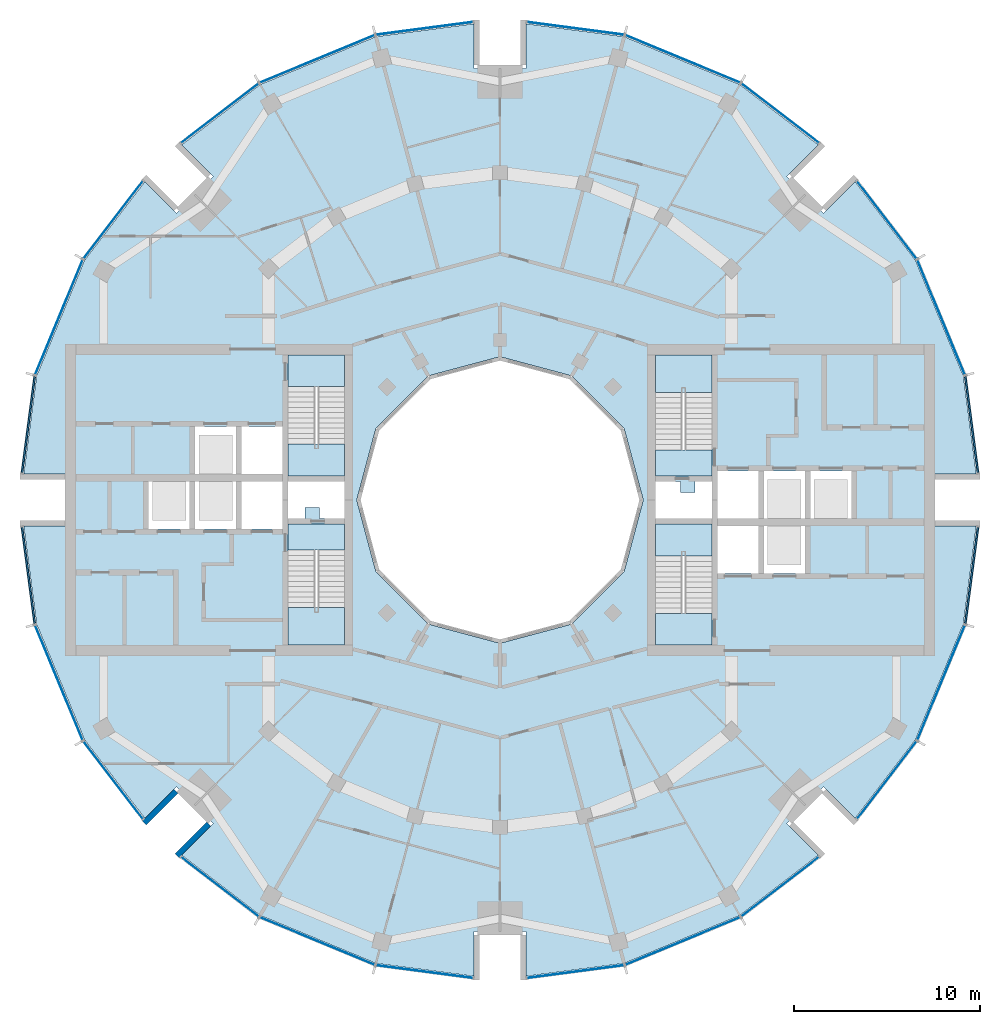
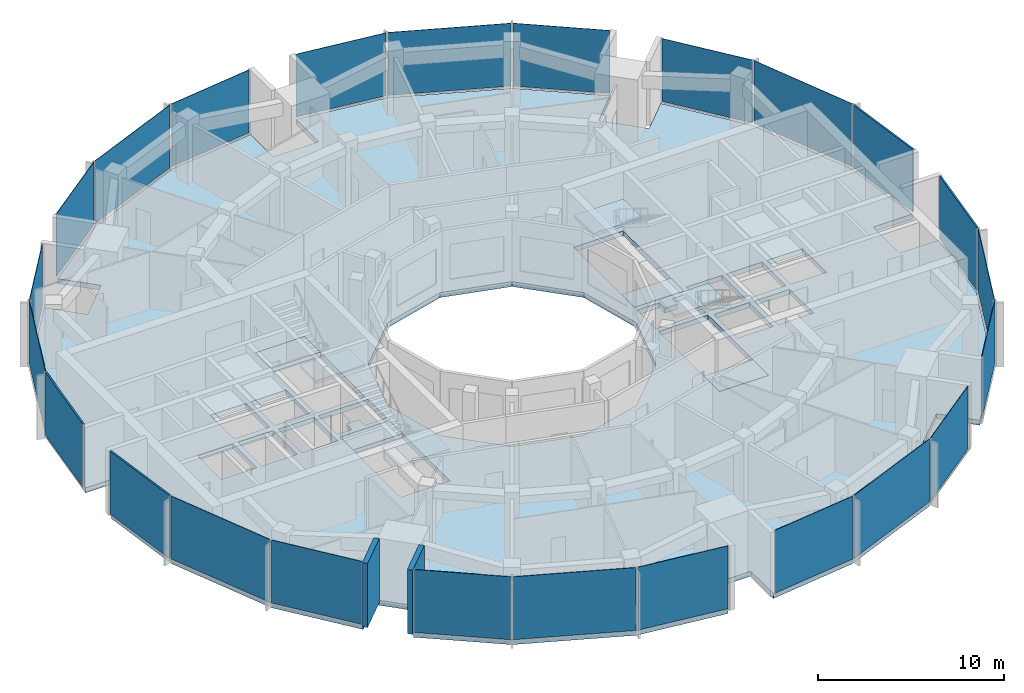
# One storey, part 7 of 15: 24 plates, 9 slabs, 2 walls, 28 elements without a shape of their own.
"""IFC4 building model written with IfcOpenShell, lengths in metres."""

from ifc_helpers import new_model, si_unit, direction, frame, frame_2d, origin, origin_2d, place, context, subcontext, project, spatial, polyline, rectangle, outline, extrude, material, layer, layer_set, type_object, element, aggregate, save


model = new_model("IFC4")

# Units and contexts
model_context = context("Model", 3, precision=1e-05, world=origin(), true_north=direction((0.0, 1.0)))
body_context = subcontext(model_context, "Body", "Model", "MODEL_VIEW")
ifc_project = project(units=[si_unit("LENGTHUNIT", "METRE"), si_unit("AREAUNIT", "SQUARE_METRE"), si_unit("VOLUMEUNIT", "CUBIC_METRE"), si_unit("PLANEANGLEUNIT", "RADIAN"), si_unit("MASSUNIT", "GRAM", prefix="KILO")], contexts=[model_context])

# Site, building, storey
site_placement = place(None, origin())
site = spatial("IfcSite", under=ifc_project, at=site_placement, CompositionType="ELEMENT")
building_placement = place(site_placement, origin())
building = spatial("IfcBuilding", under=site, at=building_placement, Name="Torre Brocal", CompositionType="ELEMENT")
storey_placement = place(building_placement, frame((0.0, 0.0, 245.699951171875)))
storey = spatial("IfcBuildingStorey", under=building, at=storey_placement, Name="L56", CompositionType="ELEMENT", Elevation=245.699951171875)

# Curtain wall, plate
ifc_material_1 = material(Name="Aluminium and glass", Category="aluminium")
ifc_layer_1 = layer(ifc_material_1, 0.199951171875)
ifc_layer_set_1 = layer_set([ifc_layer_1], Name="Aluminium and glass")
curtain_wall_type_1 = type_object("IfcCurtainWallType", Name="CW-1 CURTAIN WALL 4200 HIGH", PredefinedType="NOTDEFINED", material=ifc_layer_set_1)
curtain_wall_1_placement = place(storey_placement, origin())
curtain_wall_1 = element("IfcCurtainWall", 1, at=curtain_wall_1_placement, inside=storey, type_object=curtain_wall_type_1, Name="CW-1 RUN 2", PredefinedType="NOTDEFINED")
ifc_material_2 = material(Name="Glass, dark tinted laminated", Category="glass")
ifc_layer_2 = layer(ifc_material_2, 0.031982421875)
ifc_layer_set_2 = layer_set([ifc_layer_2], Name="Glass, dark tinted laminated")
plate_type_1 = type_object("IfcPlateType", Name="CW-1 GLASS PANEL 32", PredefinedType="CURTAIN_PANEL", material=ifc_layer_set_2)
plate_1_placement = place(storey_placement, frame((103.722900390625, 84.826416015625, 0.080078125), z_axis=(0.0, 0.0, 1.0), x_axis=(-0.382683432333, 0.923879532525, 0.0)))
plate_1 = element("IfcPlate", 2, at=plate_1_placement, type_object=plate_type_1, Name="CW1-5 panel 1.1", PredefinedType="CURTAIN_PANEL", context=body_context, shape_type="SweptSolid", body=[
    extrude(rectangle(XDim=6.64111328125, YDim=0.031982421875, at=origin_2d()), origin(), (0.0, 0.0, 1.0), 4.1201171875),
])
aggregate(curtain_wall_1, [plate_1])

curtain_wall_2_placement = place(storey_placement, origin())
curtain_wall_2 = element("IfcCurtainWall", 3, at=curtain_wall_2_placement, inside=storey, type_object=curtain_wall_type_1, Name="CW-1 RUN 3", PredefinedType="NOTDEFINED")
plate_2_placement = place(storey_placement, frame((100.80126953125, 90.0712890625, 0.080078125), z_axis=(0.0, 0.0, 1.0), x_axis=(-0.60876142905, 0.793353340259, 0.0)))
plate_2 = element("IfcPlate", 4, at=plate_2_placement, type_object=plate_type_1, Name="CW1-5 panel 1.1", PredefinedType="CURTAIN_PANEL", context=body_context, shape_type="SweptSolid", body=[
    extrude(rectangle(XDim=5.22900390625, YDim=0.031982421875, at=origin_2d()), origin(), (0.0, 0.0, 1.0), 4.1201171875),
])
aggregate(curtain_wall_2, [plate_2])

curtain_wall_3_placement = place(storey_placement, origin())
curtain_wall_3 = element("IfcCurtainWall", 5, at=curtain_wall_3_placement, inside=storey, type_object=curtain_wall_type_1, Name="CW-1 RUN 4", PredefinedType="NOTDEFINED")
plate_3_placement = place(storey_placement, frame((95.0712890625, 95.80126953125, 0.080078125), z_axis=(0.0, 0.0, 1.0), x_axis=(-0.793353340259, 0.60876142905, 0.0)))
plate_3 = element("IfcPlate", 6, at=plate_3_placement, type_object=plate_type_1, Name="CW1-5 panel 1.1", PredefinedType="CURTAIN_PANEL", context=body_context, shape_type="SweptSolid", body=[
    extrude(rectangle(XDim=5.22900390625, YDim=0.031982421875, at=origin_2d()), origin(), (0.0, 0.0, 1.0), 4.1201171875),
])
aggregate(curtain_wall_3, [plate_3])

curtain_wall_4_placement = place(storey_placement, origin())
curtain_wall_4 = element("IfcCurtainWall", 7, at=curtain_wall_4_placement, inside=storey, type_object=curtain_wall_type_1, Name="CW-1 RUN 5", PredefinedType="NOTDEFINED")
plate_4_placement = place(storey_placement, frame((89.826416015625, 98.722900390625, 0.080078125), z_axis=(0.0, 0.0, 1.0), x_axis=(-0.923879532525, 0.382683432333, 0.0)))
plate_4 = element("IfcPlate", 8, at=plate_4_placement, type_object=plate_type_1, Name="CW1-5 panel 1.1", PredefinedType="CURTAIN_PANEL", context=body_context, shape_type="SweptSolid", body=[
    extrude(rectangle(XDim=6.64111328125, YDim=0.031982421875, at=origin_2d()), origin(), (0.0, 0.0, 1.0), 4.1201171875),
])
aggregate(curtain_wall_4, [plate_4])

curtain_wall_5_placement = place(storey_placement, origin())
curtain_wall_5 = element("IfcCurtainWall", 9, at=curtain_wall_5_placement, inside=storey, type_object=curtain_wall_type_1, Name="CW-1 RUN 6", PredefinedType="NOTDEFINED")
plate_5_placement = place(storey_placement, frame((84.051513671875, 100.36572265625, 0.080078125), z_axis=(0.0, 0.0, 1.0), x_axis=(-0.991444861374, 0.13052619222, 0.0)))
plate_5 = element("IfcPlate", 10, at=plate_5_placement, type_object=plate_type_1, Name="CW1-5 panel 1.1", PredefinedType="CURTAIN_PANEL", context=body_context, shape_type="SweptSolid", body=[
    extrude(rectangle(XDim=5.22900390625, YDim=0.031982421875, at=origin_2d()), origin(), (0.0, 0.0, 1.0), 4.1201171875),
])
aggregate(curtain_wall_5, [plate_5])

curtain_wall_6_placement = place(storey_placement, origin())
curtain_wall_6 = element("IfcCurtainWall", 11, at=curtain_wall_6_placement, inside=storey, type_object=curtain_wall_type_1, Name="CW-1 RUN 7", PredefinedType="NOTDEFINED")
plate_6_placement = place(storey_placement, frame((75.948486328125, 100.36572265625, 0.080078125), z_axis=(0.0, 0.0, 1.0), x_axis=(-0.991444861374, -0.13052619222, 0.0)))
plate_6 = element("IfcPlate", 12, at=plate_6_placement, type_object=plate_type_1, Name="CW1-5 panel 1.1", PredefinedType="CURTAIN_PANEL", context=body_context, shape_type="SweptSolid", body=[
    extrude(rectangle(XDim=5.22900390625, YDim=0.031982421875, at=origin_2d()), origin(), (0.0, 0.0, 1.0), 4.1201171875),
])
aggregate(curtain_wall_6, [plate_6])

curtain_wall_7_placement = place(storey_placement, origin())
curtain_wall_7 = element("IfcCurtainWall", 13, at=curtain_wall_7_placement, inside=storey, type_object=curtain_wall_type_1, Name="CW-1 RUN 8", PredefinedType="NOTDEFINED")
plate_7_placement = place(storey_placement, frame((70.173583984375, 98.722900390625, 0.080078125), z_axis=(0.0, 0.0, 1.0), x_axis=(-0.923879532525, -0.382683432333, 0.0)))
plate_7 = element("IfcPlate", 14, at=plate_7_placement, type_object=plate_type_1, Name="CW1-5 panel 1.1", PredefinedType="CURTAIN_PANEL", context=body_context, shape_type="SweptSolid", body=[
    extrude(rectangle(XDim=6.64111328125, YDim=0.031982421875, at=origin_2d()), origin(), (0.0, 0.0, 1.0), 4.1201171875),
])
aggregate(curtain_wall_7, [plate_7])

curtain_wall_8_placement = place(storey_placement, origin())
curtain_wall_8 = element("IfcCurtainWall", 15, at=curtain_wall_8_placement, inside=storey, type_object=curtain_wall_type_1, Name="CW-1 RUN 9", PredefinedType="NOTDEFINED")
plate_8_placement = place(storey_placement, frame((64.9287109375, 95.80126953125, 0.080078125), z_axis=(0.0, 0.0, 1.0), x_axis=(-0.793353340259, -0.60876142905, 0.0)))
plate_8 = element("IfcPlate", 16, at=plate_8_placement, type_object=plate_type_1, Name="CW1-5 panel 1.1", PredefinedType="CURTAIN_PANEL", context=body_context, shape_type="SweptSolid", body=[
    extrude(rectangle(XDim=5.22900390625, YDim=0.031982421875, at=origin_2d()), origin(), (0.0, 0.0, 1.0), 4.1201171875),
])
aggregate(curtain_wall_8, [plate_8])

curtain_wall_9_placement = place(storey_placement, origin())
curtain_wall_9 = element("IfcCurtainWall", 17, at=curtain_wall_9_placement, inside=storey, type_object=curtain_wall_type_1, Name="CW-1 RUN 10", PredefinedType="NOTDEFINED")
plate_9_placement = place(storey_placement, frame((59.19873046875, 90.0712890625, 0.080078125), z_axis=(0.0, 0.0, 1.0), x_axis=(-0.60876142905, -0.793353340259, 0.0)))
plate_9 = element("IfcPlate", 18, at=plate_9_placement, type_object=plate_type_1, Name="CW1-5 panel 1.1", PredefinedType="CURTAIN_PANEL", context=body_context, shape_type="SweptSolid", body=[
    extrude(rectangle(XDim=5.22900390625, YDim=0.031982421875, at=origin_2d()), origin(), (0.0, 0.0, 1.0), 4.1201171875),
])
aggregate(curtain_wall_9, [plate_9])

curtain_wall_10_placement = place(storey_placement, origin())
curtain_wall_10 = element("IfcCurtainWall", 19, at=curtain_wall_10_placement, inside=storey, type_object=curtain_wall_type_1, Name="CW-1 RUN 11", PredefinedType="NOTDEFINED")
plate_10_placement = place(storey_placement, frame((56.277099609375, 84.826416015625, 0.080078125), z_axis=(0.0, 0.0, 1.0), x_axis=(-0.382683432333, -0.923879532525, 0.0)))
plate_10 = element("IfcPlate", 20, at=plate_10_placement, type_object=plate_type_1, Name="CW1-5 panel 1.1", PredefinedType="CURTAIN_PANEL", context=body_context, shape_type="SweptSolid", body=[
    extrude(rectangle(XDim=6.64111328125, YDim=0.031982421875, at=origin_2d()), origin(), (0.0, 0.0, 1.0), 4.1201171875),
])
aggregate(curtain_wall_10, [plate_10])

curtain_wall_11_placement = place(storey_placement, origin())
curtain_wall_11 = element("IfcCurtainWall", 21, at=curtain_wall_11_placement, inside=storey, type_object=curtain_wall_type_1, Name="CW-1 RUN 14", PredefinedType="NOTDEFINED")
plate_11_placement = place(storey_placement, frame((56.277099609375, 65.173583984375, 0.080078125), z_axis=(0.0, 0.0, 1.0), x_axis=(0.382683432333, -0.923879532525, 0.0)))
plate_11 = element("IfcPlate", 22, at=plate_11_placement, type_object=plate_type_1, Name="CW1-5 panel 1.1", PredefinedType="CURTAIN_PANEL", context=body_context, shape_type="SweptSolid", body=[
    extrude(rectangle(XDim=6.64111328125, YDim=0.031982421875, at=origin_2d()), origin(), (0.0, 0.0, 1.0), 4.1201171875),
])
aggregate(curtain_wall_11, [plate_11])

curtain_wall_12_placement = place(storey_placement, origin())
curtain_wall_12 = element("IfcCurtainWall", 23, at=curtain_wall_12_placement, inside=storey, type_object=curtain_wall_type_1, Name="CW-1 RUN 15", PredefinedType="NOTDEFINED")
plate_12_placement = place(storey_placement, frame((59.19873046875, 59.9287109375, 0.080078125), z_axis=(0.0, 0.0, 1.0), x_axis=(0.60876142905, -0.793353340259, 0.0)))
plate_12 = element("IfcPlate", 24, at=plate_12_placement, type_object=plate_type_1, Name="CW1-5 panel 1.1", PredefinedType="CURTAIN_PANEL", context=body_context, shape_type="SweptSolid", body=[
    extrude(rectangle(XDim=5.22900390625, YDim=0.031982421875, at=origin_2d()), origin(), (0.0, 0.0, 1.0), 4.1201171875),
])
aggregate(curtain_wall_12, [plate_12])

curtain_wall_13_placement = place(storey_placement, origin())
curtain_wall_13 = element("IfcCurtainWall", 25, at=curtain_wall_13_placement, inside=storey, type_object=curtain_wall_type_1, Name="CW-1 RUN 16", PredefinedType="NOTDEFINED")
plate_13_placement = place(storey_placement, frame((64.9287109375, 54.19873046875, 0.080078125), z_axis=(0.0, 0.0, 1.0), x_axis=(0.793353340259, -0.60876142905, 0.0)))
plate_13 = element("IfcPlate", 26, at=plate_13_placement, type_object=plate_type_1, Name="CW1-5 panel 1.1", PredefinedType="CURTAIN_PANEL", context=body_context, shape_type="SweptSolid", body=[
    extrude(rectangle(XDim=5.22900390625, YDim=0.031982421875, at=origin_2d()), origin(), (0.0, 0.0, 1.0), 4.1201171875),
])
aggregate(curtain_wall_13, [plate_13])

curtain_wall_14_placement = place(storey_placement, origin())
curtain_wall_14 = element("IfcCurtainWall", 27, at=curtain_wall_14_placement, inside=storey, type_object=curtain_wall_type_1, Name="CW-1 RUN 17", PredefinedType="NOTDEFINED")
plate_14_placement = place(storey_placement, frame((70.173583984375, 51.277099609375, 0.080078125), z_axis=(0.0, 0.0, 1.0), x_axis=(0.923879532525, -0.382683432333, 0.0)))
plate_14 = element("IfcPlate", 28, at=plate_14_placement, type_object=plate_type_1, Name="CW1-5 panel 1.1", PredefinedType="CURTAIN_PANEL", context=body_context, shape_type="SweptSolid", body=[
    extrude(rectangle(XDim=6.64111328125, YDim=0.031982421875, at=origin_2d()), origin(), (0.0, 0.0, 1.0), 4.1201171875),
])
aggregate(curtain_wall_14, [plate_14])

curtain_wall_15_placement = place(storey_placement, origin())
curtain_wall_15 = element("IfcCurtainWall", 29, at=curtain_wall_15_placement, inside=storey, type_object=curtain_wall_type_1, Name="CW-1 RUN 18", PredefinedType="NOTDEFINED")
plate_15_placement = place(storey_placement, frame((75.948486328125, 49.63427734375, 0.080078125), z_axis=(0.0, 0.0, 1.0), x_axis=(0.991444861374, -0.13052619222, 0.0)))
plate_15 = element("IfcPlate", 30, at=plate_15_placement, type_object=plate_type_1, Name="CW1-5 panel 1.1", PredefinedType="CURTAIN_PANEL", context=body_context, shape_type="SweptSolid", body=[
    extrude(rectangle(XDim=5.22900390625, YDim=0.031982421875, at=origin_2d()), origin(), (0.0, 0.0, 1.0), 4.1201171875),
])
aggregate(curtain_wall_15, [plate_15])

curtain_wall_16_placement = place(storey_placement, origin())
curtain_wall_16 = element("IfcCurtainWall", 31, at=curtain_wall_16_placement, inside=storey, type_object=curtain_wall_type_1, Name="CW-1 RUN 19", PredefinedType="NOTDEFINED")
plate_16_placement = place(storey_placement, frame((84.051513671875, 49.63427734375, 0.080078125), z_axis=(0.0, 0.0, 1.0), x_axis=(0.991444861374, 0.13052619222, 0.0)))
plate_16 = element("IfcPlate", 32, at=plate_16_placement, type_object=plate_type_1, Name="CW1-5 panel 1.1", PredefinedType="CURTAIN_PANEL", context=body_context, shape_type="SweptSolid", body=[
    extrude(rectangle(XDim=5.22900390625, YDim=0.031982421875, at=origin_2d()), origin(), (0.0, 0.0, 1.0), 4.1201171875),
])
aggregate(curtain_wall_16, [plate_16])

curtain_wall_17_placement = place(storey_placement, origin())
curtain_wall_17 = element("IfcCurtainWall", 33, at=curtain_wall_17_placement, inside=storey, type_object=curtain_wall_type_1, Name="CW-1 RUN 20", PredefinedType="NOTDEFINED")
plate_17_placement = place(storey_placement, frame((89.826416015625, 51.277099609375, 0.080078125), z_axis=(0.0, 0.0, 1.0), x_axis=(0.923879532525, 0.382683432333, 0.0)))
plate_17 = element("IfcPlate", 34, at=plate_17_placement, type_object=plate_type_1, Name="CW1-5 panel 1.1", PredefinedType="CURTAIN_PANEL", context=body_context, shape_type="SweptSolid", body=[
    extrude(rectangle(XDim=6.64111328125, YDim=0.031982421875, at=origin_2d()), origin(), (0.0, 0.0, 1.0), 4.1201171875),
])
aggregate(curtain_wall_17, [plate_17])

curtain_wall_18_placement = place(storey_placement, origin())
curtain_wall_18 = element("IfcCurtainWall", 35, at=curtain_wall_18_placement, inside=storey, type_object=curtain_wall_type_1, Name="CW-1 RUN 21", PredefinedType="NOTDEFINED")
plate_18_placement = place(storey_placement, frame((95.0712890625, 54.19873046875, 0.080078125), z_axis=(0.0, 0.0, 1.0), x_axis=(0.793353340259, 0.60876142905, 0.0)))
plate_18 = element("IfcPlate", 36, at=plate_18_placement, type_object=plate_type_1, Name="CW1-5 panel 1.1", PredefinedType="CURTAIN_PANEL", context=body_context, shape_type="SweptSolid", body=[
    extrude(rectangle(XDim=5.22900390625, YDim=0.031982421875, at=origin_2d()), origin(), (0.0, 0.0, 1.0), 4.1201171875),
])
aggregate(curtain_wall_18, [plate_18])

curtain_wall_19_placement = place(storey_placement, origin())
curtain_wall_19 = element("IfcCurtainWall", 37, at=curtain_wall_19_placement, inside=storey, type_object=curtain_wall_type_1, Name="CW-1 RUN 22", PredefinedType="NOTDEFINED")
plate_19_placement = place(storey_placement, frame((100.80126953125, 59.9287109375, 0.080078125), z_axis=(0.0, 0.0, 1.0), x_axis=(0.60876142905, 0.793353340259, 0.0)))
plate_19 = element("IfcPlate", 38, at=plate_19_placement, type_object=plate_type_1, Name="CW1-5 panel 1.1", PredefinedType="CURTAIN_PANEL", context=body_context, shape_type="SweptSolid", body=[
    extrude(rectangle(XDim=5.22900390625, YDim=0.031982421875, at=origin_2d()), origin(), (0.0, 0.0, 1.0), 4.1201171875),
])
aggregate(curtain_wall_19, [plate_19])

curtain_wall_20_placement = place(storey_placement, origin())
curtain_wall_20 = element("IfcCurtainWall", 39, at=curtain_wall_20_placement, inside=storey, type_object=curtain_wall_type_1, Name="CW-1 RUN 23", PredefinedType="NOTDEFINED")
plate_20_placement = place(storey_placement, frame((103.722900390625, 65.173583984375, 0.080078125), z_axis=(0.0, 0.0, 1.0), x_axis=(0.382683432333, 0.923879532525, 0.0)))
plate_20 = element("IfcPlate", 40, at=plate_20_placement, type_object=plate_type_1, Name="CW1-5 panel 1.1", PredefinedType="CURTAIN_PANEL", context=body_context, shape_type="SweptSolid", body=[
    extrude(rectangle(XDim=6.64111328125, YDim=0.031982421875, at=origin_2d()), origin(), (0.0, 0.0, 1.0), 4.1201171875),
])
aggregate(curtain_wall_20, [plate_20])

ifc_material_3 = material(Name="Aluminium and glass", Category="aluminium")
ifc_layer_3 = layer(ifc_material_3, 0.199951171875)
ifc_layer_set_3 = layer_set([ifc_layer_3], Name="Aluminium and glass")
curtain_wall_type_2 = type_object("IfcCurtainWallType", Name="CW-1B CURTAIN WALL 4200 HIGH", PredefinedType="NOTDEFINED", material=ifc_layer_set_3)
curtain_wall_21_placement = place(storey_placement, origin())
curtain_wall_21 = element("IfcCurtainWall", 41, at=curtain_wall_21_placement, inside=storey, type_object=curtain_wall_type_2, Name="CW-1B RUN 1", PredefinedType="NOTDEFINED")
ifc_material_4 = material(Name="Aluminium composite panel", Category="aluminium")
ifc_layer_4 = layer(ifc_material_4, 0.10009765625)
ifc_layer_set_4 = layer_set([ifc_layer_4], Name="Aluminium composite panel")
plate_type_2 = type_object("IfcPlateType", Name="CW-1B OPAQUE PANEL 100", PredefinedType="CURTAIN_PANEL", material=ifc_layer_set_4)
plate_21_placement = place(storey_placement, frame((105.36572265625, 79.051513671875, 0.080078125), z_axis=(0.0, 0.0, 1.0), x_axis=(-0.13052619222, 0.991444861374, 0.0)))
plate_21 = element("IfcPlate", 42, at=plate_21_placement, type_object=plate_type_2, Name="CW1B-5 panel 1.1", PredefinedType="CURTAIN_PANEL", context=body_context, shape_type="SweptSolid", body=[
    extrude(rectangle(XDim=5.22900390625, YDim=0.10009765625, at=origin_2d()), origin(), (0.0, 0.0, 1.0), 4.1201171875),
])
aggregate(curtain_wall_21, [plate_21])

curtain_wall_22_placement = place(storey_placement, origin())
curtain_wall_22 = element("IfcCurtainWall", 43, at=curtain_wall_22_placement, inside=storey, type_object=curtain_wall_type_2, Name="CW-1B RUN 12", PredefinedType="NOTDEFINED")
plate_22_placement = place(storey_placement, frame((54.63427734375, 79.051513671875, 0.080078125), z_axis=(0.0, 0.0, 1.0), x_axis=(-0.13052619222, -0.991444861374, 0.0)))
plate_22 = element("IfcPlate", 44, at=plate_22_placement, type_object=plate_type_2, Name="CW1B-5 panel 1.1", PredefinedType="CURTAIN_PANEL", context=body_context, shape_type="SweptSolid", body=[
    extrude(rectangle(XDim=5.22900390625, YDim=0.10009765625, at=origin_2d()), origin(), (0.0, 0.0, 1.0), 4.1201171875),
])
aggregate(curtain_wall_22, [plate_22])

curtain_wall_23_placement = place(storey_placement, origin())
curtain_wall_23 = element("IfcCurtainWall", 45, at=curtain_wall_23_placement, inside=storey, type_object=curtain_wall_type_2, Name="CW-1B RUN 13", PredefinedType="NOTDEFINED")
plate_23_placement = place(storey_placement, frame((54.63427734375, 70.948486328125, 0.080078125), z_axis=(0.0, 0.0, 1.0), x_axis=(0.13052619222, -0.991444861374, 0.0)))
plate_23 = element("IfcPlate", 46, at=plate_23_placement, type_object=plate_type_2, Name="CW1B-5 panel 1.1", PredefinedType="CURTAIN_PANEL", context=body_context, shape_type="SweptSolid", body=[
    extrude(rectangle(XDim=5.22900390625, YDim=0.10009765625, at=origin_2d()), origin(), (0.0, 0.0, 1.0), 4.1201171875),
])
aggregate(curtain_wall_23, [plate_23])

curtain_wall_24_placement = place(storey_placement, origin())
curtain_wall_24 = element("IfcCurtainWall", 47, at=curtain_wall_24_placement, inside=storey, type_object=curtain_wall_type_2, Name="CW-1B RUN 24", PredefinedType="NOTDEFINED")
plate_24_placement = place(storey_placement, frame((105.36572265625, 70.948486328125, 0.080078125), z_axis=(0.0, 0.0, 1.0), x_axis=(0.13052619222, 0.991444861374, 0.0)))
plate_24 = element("IfcPlate", 48, at=plate_24_placement, type_object=plate_type_2, Name="CW1B-5 panel 1.1", PredefinedType="CURTAIN_PANEL", context=body_context, shape_type="SweptSolid", body=[
    extrude(rectangle(XDim=5.22900390625, YDim=0.10009765625, at=origin_2d()), origin(), (0.0, 0.0, 1.0), 4.1201171875),
])
aggregate(curtain_wall_24, [plate_24])

# Stair, slab
ifc_material_5 = material(Name="Concrete C50", Category="concrete")
stair_type = type_object("IfcStairType", Name="EXIT STAIR", PredefinedType="HALF_TURN_STAIR", material=ifc_material_5)
stair_1_placement = place(storey_placement, origin())
stair_1 = element("IfcStair", 49, at=stair_1_placement, inside=storey, type_object=stair_type, Name="EXIT STAIR ST1", PredefinedType="HALF_TURN_STAIR")
ifc_material_6 = material(Name="Concrete C50", Category="concrete")
ifc_layer_5 = layer(ifc_material_6, 0.320068359375)
ifc_layer_set_5 = layer_set([ifc_layer_5], Name="Concrete C50")
slab_type_1 = type_object("IfcSlabType", Name="FLOOR LANDING 320", PredefinedType="LANDING", material=ifc_layer_set_5)
slab_1_placement = place(storey_placement, frame((0.0, 0.0, -0.320068359375)))
slab_1 = element("IfcSlab", 50, at=slab_1_placement, type_object=slab_type_1, Name="ST1 landing 1", PredefinedType="LANDING", context=body_context, shape_type="SweptSolid", body=[
    extrude(outline(polyline([(88.35009765625, 76.300048828125), (91.39990234375, 76.300048828125), (91.39990234375, 77.699951171875), (88.35009765625, 77.699951171875), (88.35009765625, 76.300048828125)])), origin(), (0.0, 0.0, 1.0), 0.320068359375),
])

stair_2_placement = place(storey_placement, origin())
stair_2 = element("IfcStair", 51, at=stair_2_placement, inside=storey, type_object=stair_type, Name="EXIT STAIR ST2", PredefinedType="HALF_TURN_STAIR")
slab_2_placement = place(storey_placement, frame((0.0, 0.0, -0.320068359375)))
slab_2 = element("IfcSlab", 52, at=slab_2_placement, type_object=slab_type_1, Name="ST2 landing 1", PredefinedType="LANDING", context=body_context, shape_type="SweptSolid", body=[
    extrude(outline(polyline([(88.35009765625, 67.199951171875), (91.39990234375, 67.199951171875), (91.39990234375, 68.89990234375), (88.35009765625, 68.89990234375), (88.35009765625, 67.199951171875)])), origin(), (0.0, 0.0, 1.0), 0.320068359375),
])

stair_3_placement = place(storey_placement, origin())
stair_3 = element("IfcStair", 53, at=stair_3_placement, inside=storey, type_object=stair_type, Name="EXIT STAIR ST3", PredefinedType="HALF_TURN_STAIR")
slab_3_placement = place(storey_placement, frame((0.0, 0.0, -0.320068359375)))
slab_3 = element("IfcSlab", 54, at=slab_3_placement, type_object=slab_type_1, Name="ST3 landing 1", PredefinedType="LANDING", context=body_context, shape_type="SweptSolid", body=[
    extrude(outline(polyline([(71.64990234375, 73.699951171875), (68.60009765625, 73.699951171875), (68.60009765625, 72.300048828125), (71.64990234375, 72.300048828125), (71.64990234375, 73.699951171875)])), origin(), (0.0, 0.0, 1.0), 0.320068359375),
])

stair_4_placement = place(storey_placement, origin())
stair_4 = element("IfcStair", 55, at=stair_4_placement, inside=storey, type_object=stair_type, Name="EXIT STAIR ST4", PredefinedType="HALF_TURN_STAIR")
slab_4_placement = place(storey_placement, frame((0.0, 0.0, -0.320068359375)))
slab_4 = element("IfcSlab", 56, at=slab_4_placement, type_object=slab_type_1, Name="ST4 landing 1", PredefinedType="LANDING", context=body_context, shape_type="SweptSolid", body=[
    extrude(outline(polyline([(71.64990234375, 82.800048828125), (68.60009765625, 82.800048828125), (68.60009765625, 81.10009765625), (71.64990234375, 81.10009765625), (71.64990234375, 82.800048828125)])), origin(), (0.0, 0.0, 1.0), 0.320068359375),
])

# Slab
ifc_material_7 = material(Name="Concrete C50", Category="concrete")
ifc_layer_6 = layer(ifc_material_7, 0.199951171875)
ifc_layer_set_6 = layer_set([ifc_layer_6], Name="Concrete C50")
slab_type_2 = type_object("IfcSlabType", Name="MID LANDING +2100", PredefinedType="LANDING", material=ifc_layer_set_6)
slab_5_placement = place(storey_placement, frame((0.0, 0.0, 1.900146484375)))
slab_5 = element("IfcSlab", 57, at=slab_5_placement, type_object=slab_type_2, Name="ST1 landing 2", PredefinedType="LANDING", context=body_context, shape_type="SweptSolid", body=[
    extrude(outline(polyline([(88.35009765625, 80.780029296875), (91.39990234375, 80.780029296875), (91.39990234375, 82.800048828125), (88.35009765625, 82.800048828125), (88.35009765625, 80.780029296875)])), origin(), (0.0, 0.0, 1.0), 0.199951171875),
])

aggregate(stair_1, [slab_1, slab_5])

slab_6_placement = place(storey_placement, frame((0.0, 0.0, 1.900146484375)))
slab_6 = element("IfcSlab", 58, at=slab_6_placement, type_object=slab_type_2, Name="ST2 landing 2", PredefinedType="LANDING", context=body_context, shape_type="SweptSolid", body=[
    extrude(outline(polyline([(88.35009765625, 71.97998046875), (91.39990234375, 71.97998046875), (91.39990234375, 73.699951171875), (88.35009765625, 73.699951171875), (88.35009765625, 71.97998046875)])), origin(), (0.0, 0.0, 1.0), 0.199951171875),
])

aggregate(stair_2, [slab_2, slab_6])

slab_7_placement = place(storey_placement, frame((0.0, 0.0, 1.900146484375)))
slab_7 = element("IfcSlab", 59, at=slab_7_placement, type_object=slab_type_2, Name="ST3 landing 2", PredefinedType="LANDING", context=body_context, shape_type="SweptSolid", body=[
    extrude(outline(polyline([(71.64990234375, 69.219970703125), (68.60009765625, 69.219970703125), (68.60009765625, 67.199951171875), (71.64990234375, 67.199951171875), (71.64990234375, 69.219970703125)])), origin(), (0.0, 0.0, 1.0), 0.199951171875),
])

aggregate(stair_3, [slab_3, slab_7])

slab_8_placement = place(storey_placement, frame((0.0, 0.0, 1.900146484375)))
slab_8 = element("IfcSlab", 60, at=slab_8_placement, type_object=slab_type_2, Name="ST4 landing 2", PredefinedType="LANDING", context=body_context, shape_type="SweptSolid", body=[
    extrude(outline(polyline([(71.64990234375, 78.02001953125), (68.60009765625, 78.02001953125), (68.60009765625, 76.300048828125), (71.64990234375, 76.300048828125), (71.64990234375, 78.02001953125)])), origin(), (0.0, 0.0, 1.0), 0.199951171875),
])

aggregate(stair_4, [slab_4, slab_8])

ifc_material_8 = material(Name="Concrete C45", Category="concrete")
ifc_layer_7 = layer(ifc_material_8, 0.320068359375)
ifc_layer_set_7 = layer_set([ifc_layer_7], Name="Concrete C45")
slab_type_3 = type_object("IfcSlabType", Name="PT FLOOR SLAB 320 C45", PredefinedType="FLOOR", material=ifc_layer_set_7)
slab_9_placement = place(storey_placement, frame((0.0, 0.0, -0.320068359375)))
element("IfcSlab", 61, at=slab_9_placement, inside=storey, type_object=slab_type_3, Name="Slab ST-05", PredefinedType="FLOOR", context=body_context, shape_type="SweptSolid", body=[
    extrude(outline(polyline([(103.199951171875, 76.39990234375), (103.199951171875, 73.60009765625), (105.614013671875, 73.60009765625), (104.919189453125, 68.322998046875), (102.342041015625, 62.100830078125), (99.101806640625, 57.878173828125), (97.394775390625, 59.5849609375), (95.4150390625, 57.605224609375), (97.121826171875, 55.898193359375), (92.899169921875, 52.657958984375), (86.677001953125, 50.080810546875), (81.39990234375, 49.385986328125), (81.39990234375, 51.800048828125), (78.60009765625, 51.800048828125), (78.60009765625, 49.385986328125), (73.322998046875, 50.080810546875), (67.100830078125, 52.657958984375), (62.878173828125, 55.898193359375), (64.5849609375, 57.605224609375), (62.605224609375, 59.5849609375), (60.898193359375, 57.878173828125), (57.657958984375, 62.100830078125), (55.080810546875, 68.322998046875), (54.385986328125, 73.60009765625), (56.800048828125, 73.60009765625), (56.800048828125, 76.39990234375), (54.385986328125, 76.39990234375), (55.080810546875, 81.677001953125), (57.657958984375, 87.899169921875), (60.898193359375, 92.121826171875), (62.605224609375, 90.4150390625), (64.5849609375, 92.394775390625), (62.878173828125, 94.101806640625), (67.100830078125, 97.342041015625), (73.322998046875, 99.919189453125), (78.60009765625, 100.614013671875), (78.60009765625, 98.199951171875), (81.39990234375, 98.199951171875), (81.39990234375, 100.614013671875), (86.677001953125, 99.919189453125), (92.899169921875, 97.342041015625), (97.121826171875, 94.101806640625), (95.4150390625, 92.394775390625), (97.394775390625, 90.4150390625), (99.101806640625, 92.121826171875), (102.342041015625, 87.899169921875), (104.919189453125, 81.677001953125), (105.614013671875, 76.39990234375), (103.199951171875, 76.39990234375)]), holes=[polyline([(98.89990234375, 76.550048828125), (96.699951171875, 76.550048828125), (96.699951171875, 74.0), (98.89990234375, 74.0), (98.89990234375, 76.550048828125)]), polyline([(96.39990234375, 76.550048828125), (94.199951171875, 76.550048828125), (94.199951171875, 74.0), (96.39990234375, 74.0), (96.39990234375, 76.550048828125)]), polyline([(96.39990234375, 73.60009765625), (94.199951171875, 73.60009765625), (94.199951171875, 71.050048828125), (96.39990234375, 71.050048828125), (96.39990234375, 73.60009765625)]), polyline([(93.89990234375, 76.550048828125), (91.699951171875, 76.550048828125), (91.699951171875, 74.0), (93.89990234375, 74.0), (93.89990234375, 76.550048828125)]), polyline([(93.89990234375, 73.60009765625), (91.699951171875, 73.60009765625), (91.699951171875, 71.050048828125), (93.89990234375, 71.050048828125), (93.89990234375, 73.60009765625)]), polyline([(89.699951171875, 76.0), (88.35009765625, 76.0), (88.35009765625, 74.0), (91.39990234375, 74.0), (91.39990234375, 76.0), (90.5, 76.0), (90.5, 75.39990234375), (89.699951171875, 75.39990234375), (89.699951171875, 76.0)]), polyline([(91.39990234375, 82.800048828125), (88.35009765625, 82.800048828125), (88.35009765625, 76.300048828125), (91.39990234375, 76.300048828125), (91.39990234375, 82.800048828125)]), polyline([(91.39990234375, 73.699951171875), (88.35009765625, 73.699951171875), (88.35009765625, 67.199951171875), (91.39990234375, 67.199951171875), (91.39990234375, 73.699951171875)]), polyline([(80.0, 82.70703125), (76.146484375, 81.674560546875), (73.325439453125, 78.853515625), (72.29296875, 75.0), (73.325439453125, 71.146484375), (76.146484375, 68.325439453125), (80.0, 67.29296875), (83.853515625, 68.325439453125), (86.674560546875, 71.146484375), (87.70703125, 75.0), (86.674560546875, 78.853515625), (83.853515625, 81.674560546875), (80.0, 82.70703125)]), polyline([(70.300048828125, 74.0), (71.64990234375, 74.0), (71.64990234375, 76.0), (68.60009765625, 76.0), (68.60009765625, 74.0), (69.5, 74.0), (69.5, 74.60009765625), (70.300048828125, 74.60009765625), (70.300048828125, 74.0)]), polyline([(68.60009765625, 76.300048828125), (71.64990234375, 76.300048828125), (71.64990234375, 82.800048828125), (68.60009765625, 82.800048828125), (68.60009765625, 76.300048828125)]), polyline([(68.60009765625, 67.199951171875), (71.64990234375, 67.199951171875), (71.64990234375, 73.699951171875), (68.60009765625, 73.699951171875), (68.60009765625, 67.199951171875)]), polyline([(66.10009765625, 76.39990234375), (68.300048828125, 76.39990234375), (68.300048828125, 78.949951171875), (66.10009765625, 78.949951171875), (66.10009765625, 76.39990234375)]), polyline([(66.10009765625, 73.449951171875), (68.300048828125, 73.449951171875), (68.300048828125, 76.0), (66.10009765625, 76.0), (66.10009765625, 73.449951171875)]), polyline([(63.60009765625, 76.39990234375), (65.800048828125, 76.39990234375), (65.800048828125, 78.949951171875), (63.60009765625, 78.949951171875), (63.60009765625, 76.39990234375)]), polyline([(63.60009765625, 73.449951171875), (65.800048828125, 73.449951171875), (65.800048828125, 76.0), (63.60009765625, 76.0), (63.60009765625, 73.449951171875)]), polyline([(61.10009765625, 73.449951171875), (63.300048828125, 73.449951171875), (63.300048828125, 76.0), (61.10009765625, 76.0), (61.10009765625, 73.449951171875)])]), origin(), (0.0, 0.0, 1.0), 0.320068359375),
])

# Walls
ifc_material_9 = material(Name="Concrete C60", Category="concrete")
ifc_layer_8 = layer(ifc_material_9, 0.300048828125)
ifc_layer_set_8 = layer_set([ifc_layer_8], Name="Concrete C60")
wall_type = type_object("IfcWallType", Name="NOTCH RETURN WALL 300 C60", PredefinedType="NOTDEFINED", material=ifc_layer_set_8)
for number, where, z_axis, x_axis, name in (
    (62, (62.56982421875, 59.337646484375, 0.0), (0.0, 0.0, 1.0), (-0.707106781187, -0.707106781187, 0.0), "NOTCH RETURN WALL"),
    (63, (64.337646484375, 57.56982421875, 0.0), (0.0, 0.0, 1.0), (-0.707106781187, -0.707106781187, 0.0), "NOTCH RETURN WALL"),
):
    element("IfcWall", number, at=place(storey_placement, frame(where, z_axis=z_axis, x_axis=x_axis)), inside=storey, type_object=wall_type, Name=name, PredefinedType="NOTDEFINED", context=body_context, shape_type="SweptSolid", body=[
        extrude(rectangle(XDim=2.415771484375, YDim=0.300048828125, at=frame_2d((1.2080078125, 0.0))), origin(), (0.0, 0.0, 1.0), 4.199951171875),
    ])

save(model, "model.ifc")
